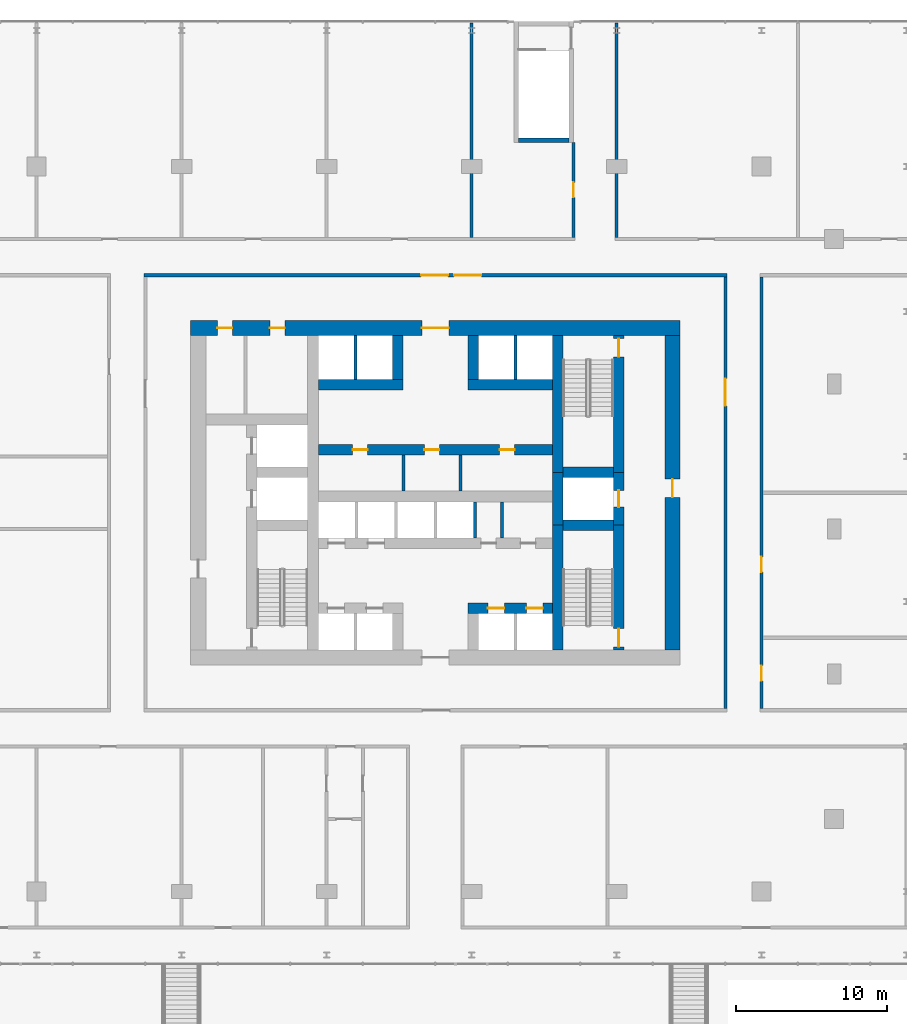
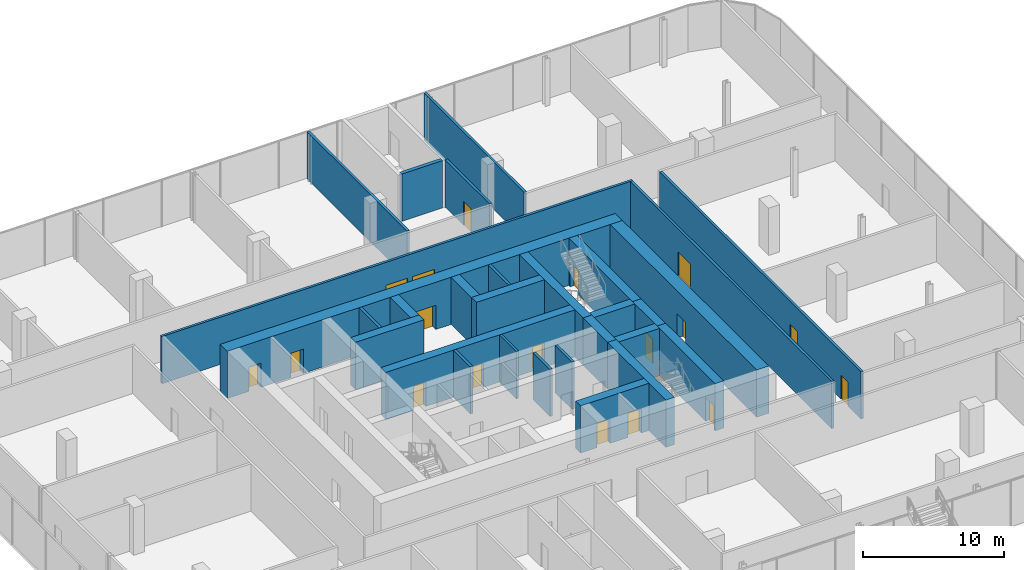
# One storey, part 24 of 32: 29 walls, 18 doors, 18 openings.
"""IFC4 building model written with IfcOpenShell, lengths in metres."""

from ifc_helpers import new_model, si_unit, direction, frame, frame_2d, origin, place, context, subcontext, project, spatial, rectangle, extrude, material, layer, layer_set, type_object, element, fill, save


model = new_model("IFC4")

# Units and contexts
model_context = context("Model", 3, precision=1e-05, world=origin(), true_north=direction((0.0, 1.0)))
body_context = subcontext(model_context, "Body", "Model", "MODEL_VIEW")
ifc_project = project(units=[si_unit("LENGTHUNIT", "METRE"), si_unit("AREAUNIT", "SQUARE_METRE"), si_unit("VOLUMEUNIT", "CUBIC_METRE"), si_unit("PLANEANGLEUNIT", "RADIAN"), si_unit("MASSUNIT", "GRAM", prefix="KILO")], contexts=[model_context])

# Site, building, storey
site_placement = place(None, origin())
site = spatial("IfcSite", under=ifc_project, at=site_placement, CompositionType="ELEMENT")
building_placement = place(site_placement, origin())
building = spatial("IfcBuilding", under=site, at=building_placement, Name="Madar Terraces", CompositionType="ELEMENT")
storey_placement = place(building_placement, frame((0.0, 0.0, 19.5)))
storey = spatial("IfcBuildingStorey", under=building, at=storey_placement, Name="L04", CompositionType="ELEMENT", Elevation=19.5)

# Walls
ifc_material_1 = material(Name="Concrete C80/95", Category="concrete")
ifc_layer_1 = layer(ifc_material_1, 0.699951171875)
ifc_layer_set_1 = layer_set([ifc_layer_1], Name="Concrete C80/95 (CIW1 RC wall 700)")
wall_type_1 = type_object("IfcWallType", Name="CIW1 RC wall 700", PredefinedType="SHEAR", material=ifc_layer_set_1)
wall_1_placement = place(storey_placement, frame((39.300048828125, 16.0, 0.0), z_axis=(0.0, 0.0, 1.0), x_axis=(0.0, 1.0, 0.0)))
element("IfcWall", 1, at=wall_1_placement, inside=storey, type_object=wall_type_1, Name="CORE SHAFT WALL", PredefinedType="SHEAR", context=body_context, shape_type="SweptSolid", body=[
    extrude(rectangle(XDim=8.25, YDim=0.699951171875, at=frame_2d((4.125, 0.0))), origin(), (0.0, 0.0, 1.0), 4.10009765625),
])
wall_2_placement = place(storey_placement, frame((39.300048828125, 24.25, 0.0), z_axis=(0.0, 0.0, 1.0), x_axis=(0.0, 1.0, 0.0)))
element("IfcWall", 2, at=wall_2_placement, inside=storey, type_object=wall_type_1, Name="CORE SHAFT WALL", PredefinedType="SHEAR", context=body_context, shape_type="SweptSolid", body=[
    extrude(rectangle(XDim=3.5, YDim=0.699951171875, at=frame_2d((1.75, 0.0))), origin(), (0.0, 0.0, 1.0), 4.10009765625),
])
wall_3_placement = place(storey_placement, frame((39.300048828125, 27.75, 0.0), z_axis=(0.0, 0.0, 1.0), x_axis=(0.0, 1.0, 0.0)))
element("IfcWall", 3, at=wall_3_placement, inside=storey, type_object=wall_type_1, Name="CORE SHAFT WALL", PredefinedType="SHEAR", context=body_context, shape_type="SweptSolid", body=[
    extrude(rectangle(XDim=9.050048828125, YDim=0.699951171875, at=frame_2d((4.52490234375, 0.0))), origin(), (0.0, 0.0, 1.0), 4.10009765625),
])

# Wall, opening, door
wall_4_placement = place(storey_placement, frame((43.35009765625, 16.0, 0.0), z_axis=(0.0, 0.0, 1.0), x_axis=(0.0, 1.0, 0.0)))
wall_4 = element("IfcWall", 4, at=wall_4_placement, inside=storey, type_object=wall_type_1, Name="CORE SHAFT WALL", PredefinedType="SHEAR", context=body_context, shape_type="SweptSolid", body=[
    extrude(rectangle(XDim=8.25, YDim=0.699951171875, at=frame_2d((4.125, 0.0))), origin(), (0.0, 0.0, 1.0), 4.10009765625),
])
opening_1_placement = place(wall_4_placement, frame((0.199951171875, 0.0, 0.0)))
opening_1 = element("IfcOpeningElement", 5, at=opening_1_placement, cuts=wall_4, Name="Opening SD1", PredefinedType="OPENING", context=body_context, shape_type="SweptSolid", body=[
    extrude(rectangle(XDim=1.199951171875, YDim=2.10009765625, at=frame_2d((0.60009765625, 1.050048828125))), frame((0.0, 0.35986328125, 0.0), z_axis=(0.0, -1.0, 0.0), x_axis=(1.0, 0.0, 0.0)), (0.0, 0.0, 1.0), 0.719970703125),
])
ifc_material_2 = material(Name="Steel door leaf", Category="steel")
door_type_1 = type_object("IfcDoorType", Name="Stair door 1200 x 2100", OperationType="NOTDEFINED", PredefinedType="DOOR", material=ifc_material_2)
door_1_placement = place(opening_1_placement, origin())
door_1 = element("IfcDoor", 6, at=door_1_placement, inside=storey, type_object=door_type_1, Name="STAIR DOOR", OperationType="SINGLE_SWING_LEFT", OverallHeight=2.10009765625, OverallWidth=1.199951171875, PredefinedType="DOOR", context=body_context, shape_type="SweptSolid", body=[
    extrude(rectangle(XDim=1.199951171875, YDim=2.10009765625, at=frame_2d((0.60009765625, 1.050048828125))), frame((0.0, 0.02490234375, 0.0), z_axis=(0.0, -1.0, 0.0), x_axis=(1.0, 0.0, 0.0)), (0.0, 0.0, 1.0), 0.050048828125),
])
fill(opening_1, door_1)

wall_5_placement = place(storey_placement, frame((43.35009765625, 24.25, 0.0), z_axis=(0.0, 0.0, 1.0), x_axis=(0.0, 1.0, 0.0)))
wall_5 = element("IfcWall", 7, at=wall_5_placement, inside=storey, type_object=wall_type_1, Name="CORE SHAFT WALL", PredefinedType="SHEAR", context=body_context, shape_type="SweptSolid", body=[
    extrude(rectangle(XDim=3.5, YDim=0.699951171875, at=frame_2d((1.75, 0.0))), origin(), (0.0, 0.0, 1.0), 4.10009765625),
])
opening_2_placement = place(wall_5_placement, frame((1.199951171875, 0.0, 0.0)))
opening_2 = element("IfcOpeningElement", 8, at=opening_2_placement, cuts=wall_5, Name="Opening LD", PredefinedType="OPENING", context=body_context, shape_type="SweptSolid", body=[
    extrude(rectangle(XDim=1.10009765625, YDim=2.10009765625, at=frame_2d((0.550048828125, 1.050048828125))), frame((0.0, 0.35986328125, 0.0), z_axis=(0.0, -1.0, 0.0), x_axis=(1.0, 0.0, 0.0)), (0.0, 0.0, 1.0), 0.719970703125),
])
ifc_material_3 = material(Name="Stainless steel panel", Category="steel")
door_type_2 = type_object("IfcDoorType", Name="Lift landing door 1100 x 2100", OperationType="DOUBLE_DOOR_SLIDING", PredefinedType="DOOR", material=ifc_material_3)
door_2_placement = place(opening_2_placement, origin())
door_2 = element("IfcDoor", 9, at=door_2_placement, inside=storey, type_object=door_type_2, Name="LIFT LANDING DOOR", OperationType="DOUBLE_DOOR_SLIDING", OverallHeight=2.10009765625, OverallWidth=1.10009765625, PredefinedType="DOOR", context=body_context, shape_type="SweptSolid", body=[
    extrude(rectangle(XDim=1.10009765625, YDim=2.10009765625, at=frame_2d((0.550048828125, 1.050048828125))), frame((0.0, 0.02490234375, 0.0), z_axis=(0.0, -1.0, 0.0), x_axis=(1.0, 0.0, 0.0)), (0.0, 0.0, 1.0), 0.050048828125),
])
fill(opening_2, door_2)

wall_6_placement = place(storey_placement, frame((43.35009765625, 27.75, 0.0), z_axis=(0.0, 0.0, 1.0), x_axis=(0.0, 1.0, 0.0)))
wall_6 = element("IfcWall", 10, at=wall_6_placement, inside=storey, type_object=wall_type_1, Name="CORE SHAFT WALL", PredefinedType="SHEAR", context=body_context, shape_type="SweptSolid", body=[
    extrude(rectangle(XDim=9.050048828125, YDim=0.699951171875, at=frame_2d((4.52490234375, 0.0))), origin(), (0.0, 0.0, 1.0), 4.10009765625),
])
opening_3_placement = place(wall_6_placement, frame((7.64990234375, 0.0, 0.0)))
opening_3 = element("IfcOpeningElement", 11, at=opening_3_placement, cuts=wall_6, Name="Opening SD1", PredefinedType="OPENING", context=body_context, shape_type="SweptSolid", body=[
    extrude(rectangle(XDim=1.199951171875, YDim=2.10009765625, at=frame_2d((0.60009765625, 1.050048828125))), frame((0.0, 0.35986328125, 0.0), z_axis=(0.0, -1.0, 0.0), x_axis=(1.0, 0.0, 0.0)), (0.0, 0.0, 1.0), 0.719970703125),
])
door_3_placement = place(opening_3_placement, origin())
door_3 = element("IfcDoor", 12, at=door_3_placement, inside=storey, type_object=door_type_1, Name="STAIR DOOR", OperationType="SINGLE_SWING_RIGHT", OverallHeight=2.10009765625, OverallWidth=1.199951171875, PredefinedType="DOOR", context=body_context, shape_type="SweptSolid", body=[
    extrude(rectangle(XDim=1.199951171875, YDim=2.10009765625, at=frame_2d((0.60009765625, 1.050048828125))), frame((0.0, 0.02490234375, 0.0), z_axis=(0.0, -1.0, 0.0), x_axis=(1.0, 0.0, 0.0)), (0.0, 0.0, 1.0), 0.050048828125),
])
fill(opening_3, door_3)

# Walls
for number, where, z_axis, x_axis, name in (
    (13, (39.64990234375, 24.25, 0.0), (0.0, 0.0, 1.0), (1.0, 0.0, 0.0), "CORE SHAFT WALL"),
    (14, (39.64990234375, 27.75, 0.0), (0.0, 0.0, 1.0), (1.0, 0.0, 0.0), "CORE SHAFT WALL"),
):
    element("IfcWall", number, at=place(storey_placement, frame(where, z_axis=z_axis, x_axis=x_axis)), inside=storey, type_object=wall_type_1, Name=name, PredefinedType="SHEAR", context=body_context, shape_type="SweptSolid", body=[
        extrude(rectangle(XDim=3.35009765625, YDim=0.699951171875, at=frame_2d((1.675048828125, 0.0))), origin(), (0.0, 0.0, 1.0), 4.10009765625),
    ])

# Wall, openings, doors
wall_7_placement = place(storey_placement, frame((33.35009765625, 18.75, 0.0), z_axis=(0.0, 0.0, 1.0), x_axis=(1.0, 0.0, 0.0)))
wall_7 = element("IfcWall", 15, at=wall_7_placement, inside=storey, type_object=wall_type_1, Name="CORE SHAFT WALL", PredefinedType="SHEAR", context=body_context, shape_type="SweptSolid", body=[
    extrude(rectangle(XDim=5.599853515625, YDim=0.699951171875, at=frame_2d((2.7998046875, 0.0))), origin(), (0.0, 0.0, 1.0), 4.10009765625),
])
opening_4_placement = place(wall_7_placement, frame((1.324951171875, 0.0, 0.0)))
opening_4 = element("IfcOpeningElement", 16, at=opening_4_placement, cuts=wall_7, Name="Opening LD", PredefinedType="OPENING", context=body_context, shape_type="SweptSolid", body=[
    extrude(rectangle(XDim=1.10009765625, YDim=2.10009765625, at=frame_2d((0.550048828125, 1.050048828125))), frame((0.0, 0.35986328125, 0.0), z_axis=(0.0, -1.0, 0.0), x_axis=(1.0, 0.0, 0.0)), (0.0, 0.0, 1.0), 0.719970703125),
])
opening_5_placement = place(wall_7_placement, frame((3.875, 0.0, 0.0)))
opening_5 = element("IfcOpeningElement", 17, at=opening_5_placement, cuts=wall_7, Name="Opening LD", PredefinedType="OPENING", context=body_context, shape_type="SweptSolid", body=[
    extrude(rectangle(XDim=1.10009765625, YDim=2.10009765625, at=frame_2d((0.550048828125, 1.050048828125))), frame((0.0, 0.35986328125, 0.0), z_axis=(0.0, -1.0, 0.0), x_axis=(1.0, 0.0, 0.0)), (0.0, 0.0, 1.0), 0.719970703125),
])
door_4_placement = place(opening_4_placement, origin())
door_4 = element("IfcDoor", 18, at=door_4_placement, inside=storey, type_object=door_type_2, Name="LIFT LANDING DOOR", OperationType="DOUBLE_DOOR_SLIDING", OverallHeight=2.10009765625, OverallWidth=1.10009765625, PredefinedType="DOOR", context=body_context, shape_type="SweptSolid", body=[
    extrude(rectangle(XDim=1.10009765625, YDim=2.10009765625, at=frame_2d((0.550048828125, 1.050048828125))), frame((0.0, 0.02490234375, 0.0), z_axis=(0.0, -1.0, 0.0), x_axis=(1.0, 0.0, 0.0)), (0.0, 0.0, 1.0), 0.050048828125),
])
fill(opening_4, door_4)
door_5_placement = place(opening_5_placement, origin())
door_5 = element("IfcDoor", 19, at=door_5_placement, inside=storey, type_object=door_type_2, Name="LIFT LANDING DOOR", OperationType="DOUBLE_DOOR_SLIDING", OverallHeight=2.10009765625, OverallWidth=1.10009765625, PredefinedType="DOOR", context=body_context, shape_type="SweptSolid", body=[
    extrude(rectangle(XDim=1.10009765625, YDim=2.10009765625, at=frame_2d((0.550048828125, 1.050048828125))), frame((0.0, 0.02490234375, 0.0), z_axis=(0.0, -1.0, 0.0), x_axis=(1.0, 0.0, 0.0)), (0.0, 0.0, 1.0), 0.050048828125),
])
fill(opening_5, door_5)

wall_8_placement = place(storey_placement, frame((23.449951171875, 29.25, 0.0), z_axis=(0.0, 0.0, 1.0), x_axis=(1.0, 0.0, 0.0)))
wall_8 = element("IfcWall", 20, at=wall_8_placement, inside=storey, type_object=wall_type_1, Name="CORE SHAFT WALL", PredefinedType="SHEAR", context=body_context, shape_type="SweptSolid", body=[
    extrude(rectangle(XDim=15.5, YDim=0.699951171875, at=frame_2d((7.75, 0.0))), origin(), (0.0, 0.0, 1.0), 4.10009765625),
])
opening_6_placement = place(wall_8_placement, frame((2.265869140625, 0.0, 0.0)))
opening_6 = element("IfcOpeningElement", 21, at=opening_6_placement, cuts=wall_8, Name="Opening KD2", PredefinedType="OPENING", context=body_context, shape_type="SweptSolid", body=[
    extrude(rectangle(XDim=1.0, YDim=2.10009765625, at=frame_2d((0.5, 1.050048828125))), frame((0.0, 0.35986328125, 0.0), z_axis=(0.0, -1.0, 0.0), x_axis=(1.0, 0.0, 0.0)), (0.0, 0.0, 1.0), 0.719970703125),
])
opening_7_placement = place(wall_8_placement, frame((7.017578125, 0.0, 0.0)))
opening_7 = element("IfcOpeningElement", 22, at=opening_7_placement, cuts=wall_8, Name="Opening KD2", PredefinedType="OPENING", context=body_context, shape_type="SweptSolid", body=[
    extrude(rectangle(XDim=1.0, YDim=2.10009765625, at=frame_2d((0.5, 1.050048828125))), frame((0.0, 0.35986328125, 0.0), z_axis=(0.0, -1.0, 0.0), x_axis=(1.0, 0.0, 0.0)), (0.0, 0.0, 1.0), 0.719970703125),
])
opening_8_placement = place(wall_8_placement, frame((12.001708984375, 0.0, 0.0)))
opening_8 = element("IfcOpeningElement", 23, at=opening_8_placement, cuts=wall_8, Name="Opening KD2", PredefinedType="OPENING", context=body_context, shape_type="SweptSolid", body=[
    extrude(rectangle(XDim=1.0, YDim=2.10009765625, at=frame_2d((0.5, 1.050048828125))), frame((0.0, 0.35986328125, 0.0), z_axis=(0.0, -1.0, 0.0), x_axis=(1.0, 0.0, 0.0)), (0.0, 0.0, 1.0), 0.719970703125),
])
ifc_material_4 = material(Name="Steel door leaf", Category="steel")
door_type_3 = type_object("IfcDoorType", Name="Service room door 1000 x 2100", OperationType="NOTDEFINED", PredefinedType="DOOR", material=ifc_material_4)
door_6_placement = place(opening_6_placement, origin())
door_6 = element("IfcDoor", 24, at=door_6_placement, inside=storey, type_object=door_type_3, Name="SERVICE ROOM DOOR", OperationType="SINGLE_SWING_LEFT", OverallHeight=2.10009765625, OverallWidth=1.0, PredefinedType="DOOR", context=body_context, shape_type="SweptSolid", body=[
    extrude(rectangle(XDim=1.0, YDim=2.10009765625, at=frame_2d((0.5, 1.050048828125))), frame((0.0, 0.02490234375, 0.0), z_axis=(0.0, -1.0, 0.0), x_axis=(1.0, 0.0, 0.0)), (0.0, 0.0, 1.0), 0.050048828125),
])
fill(opening_6, door_6)
door_7_placement = place(opening_7_placement, origin())
door_7 = element("IfcDoor", 25, at=door_7_placement, inside=storey, type_object=door_type_3, Name="SERVICE ROOM DOOR", OperationType="SINGLE_SWING_RIGHT", OverallHeight=2.10009765625, OverallWidth=1.0, PredefinedType="DOOR", context=body_context, shape_type="SweptSolid", body=[
    extrude(rectangle(XDim=1.0, YDim=2.10009765625, at=frame_2d((0.5, 1.050048828125))), frame((0.0, 0.02490234375, 0.0), z_axis=(0.0, -1.0, 0.0), x_axis=(1.0, 0.0, 0.0)), (0.0, 0.0, 1.0), 0.050048828125),
])
fill(opening_7, door_7)
door_8_placement = place(opening_8_placement, origin())
door_8 = element("IfcDoor", 26, at=door_8_placement, inside=storey, type_object=door_type_3, Name="SERVICE ROOM DOOR", OperationType="SINGLE_SWING_LEFT", OverallHeight=2.10009765625, OverallWidth=1.0, PredefinedType="DOOR", context=body_context, shape_type="SweptSolid", body=[
    extrude(rectangle(XDim=1.0, YDim=2.10009765625, at=frame_2d((0.5, 1.050048828125))), frame((0.0, 0.02490234375, 0.0), z_axis=(0.0, -1.0, 0.0), x_axis=(1.0, 0.0, 0.0)), (0.0, 0.0, 1.0), 0.050048828125),
])
fill(opening_8, door_8)

# Walls
wall_9_placement = place(storey_placement, frame((23.449951171875, 33.550048828125, 0.0), z_axis=(0.0, 0.0, 1.0), x_axis=(1.0, 0.0, 0.0)))
element("IfcWall", 27, at=wall_9_placement, inside=storey, type_object=wall_type_1, Name="CORE SHAFT WALL", PredefinedType="SHEAR", context=body_context, shape_type="SweptSolid", body=[
    extrude(rectangle(XDim=5.60009765625, YDim=0.699951171875, at=frame_2d((2.800048828125, 0.0))), origin(), (0.0, 0.0, 1.0), 4.10009765625),
])
wall_10_placement = place(storey_placement, frame((33.35009765625, 33.550048828125, 0.0), z_axis=(0.0, 0.0, 1.0), x_axis=(1.0, 0.0, 0.0)))
element("IfcWall", 28, at=wall_10_placement, inside=storey, type_object=wall_type_1, Name="CORE SHAFT WALL", PredefinedType="SHEAR", context=body_context, shape_type="SweptSolid", body=[
    extrude(rectangle(XDim=5.599853515625, YDim=0.699951171875, at=frame_2d((2.7998046875, 0.0))), origin(), (0.0, 0.0, 1.0), 4.10009765625),
])
for number, where, z_axis, x_axis, name in (
    (29, (28.699951171875, 33.89990234375, 0.0), (0.0, 0.0, 1.0), (0.0, 1.0, 0.0), "CORE SHAFT WALL"),
    (30, (33.699951171875, 33.89990234375, 0.0), (0.0, 0.0, 1.0), (0.0, 1.0, 0.0), "CORE SHAFT WALL"),
):
    element("IfcWall", number, at=place(storey_placement, frame(where, z_axis=z_axis, x_axis=x_axis)), inside=storey, type_object=wall_type_1, Name=name, PredefinedType="SHEAR", context=body_context, shape_type="SweptSolid", body=[
        extrude(rectangle(XDim=2.900146484375, YDim=0.699951171875, at=frame_2d((1.4501953125, 0.0))), origin(), (0.0, 0.0, 1.0), 4.10009765625),
    ])

# Wall, openings, doors
ifc_material_5 = material(Name="Concrete C80/95", Category="concrete")
ifc_layer_2 = layer(ifc_material_5, 1.0)
ifc_layer_set_2 = layer_set([ifc_layer_2], Name="Concrete C80/95 (CRW1 RC wall 1000)")
wall_type_2 = type_object("IfcWallType", Name="CRW1 RC wall 1000", PredefinedType="SHEAR", material=ifc_layer_set_2)
wall_11_placement = place(storey_placement, frame((15.0, 37.300048828125, 0.0), z_axis=(0.0, 0.0, 1.0), x_axis=(1.0, 0.0, 0.0)))
wall_11 = element("IfcWall", 31, at=wall_11_placement, inside=storey, type_object=wall_type_2, Name="CORE OUTER WALL", PredefinedType="SHEAR", context=body_context, shape_type="SweptSolid", body=[
    extrude(rectangle(XDim=32.39990234375, YDim=1.0, at=frame_2d((16.199951171875, 0.0))), origin(), (0.0, 0.0, 1.0), 4.10009765625),
])
opening_9_placement = place(wall_11_placement, frame((15.300048828125, 0.0, 0.0)))
opening_9 = element("IfcOpeningElement", 32, at=opening_9_placement, cuts=wall_11, Name="Opening KD1", PredefinedType="OPENING", context=body_context, shape_type="SweptSolid", body=[
    extrude(rectangle(XDim=1.800048828125, YDim=2.10009765625, at=frame_2d((0.89990234375, 1.050048828125))), frame((0.0, 0.510009765625, 0.0), z_axis=(0.0, -1.0, 0.0), x_axis=(1.0, 0.0, 0.0)), (0.0, 0.0, 1.0), 1.02001953125),
])
opening_10_placement = place(wall_11_placement, frame((1.766357421875, 0.0, 0.0)))
opening_10 = element("IfcOpeningElement", 33, at=opening_10_placement, cuts=wall_11, Name="Opening KD2", PredefinedType="OPENING", context=body_context, shape_type="SweptSolid", body=[
    extrude(rectangle(XDim=1.0, YDim=2.10009765625, at=frame_2d((0.5, 1.050048828125))), frame((0.0, 0.510009765625, 0.0), z_axis=(0.0, -1.0, 0.0), x_axis=(1.0, 0.0, 0.0)), (0.0, 0.0, 1.0), 1.02001953125),
])
opening_11_placement = place(wall_11_placement, frame((5.2412109375, 0.0, 0.0)))
opening_11 = element("IfcOpeningElement", 34, at=opening_11_placement, cuts=wall_11, Name="Opening KD2", PredefinedType="OPENING", context=body_context, shape_type="SweptSolid", body=[
    extrude(rectangle(XDim=1.0, YDim=2.10009765625, at=frame_2d((0.5, 1.050048828125))), frame((0.0, 0.510009765625, 0.0), z_axis=(0.0, -1.0, 0.0), x_axis=(1.0, 0.0, 0.0)), (0.0, 0.0, 1.0), 1.02001953125),
])
ifc_material_6 = material(Name="Steel door leaf", Category="steel")
door_type_4 = type_object("IfcDoorType", Name="Lobby door pair 1800 x 2100", OperationType="DOUBLE_DOOR_SINGLE_SWING", PredefinedType="DOOR", material=ifc_material_6)
door_9_placement = place(opening_9_placement, origin())
door_9 = element("IfcDoor", 35, at=door_9_placement, inside=storey, type_object=door_type_4, Name="LIFT LOBBY DOOR", OperationType="DOUBLE_DOOR_SINGLE_SWING", OverallHeight=2.10009765625, OverallWidth=1.800048828125, PredefinedType="DOOR", context=body_context, shape_type="SweptSolid", body=[
    extrude(rectangle(XDim=1.800048828125, YDim=2.10009765625, at=frame_2d((0.89990234375, 1.050048828125))), frame((0.0, 0.02490234375, 0.0), z_axis=(0.0, -1.0, 0.0), x_axis=(1.0, 0.0, 0.0)), (0.0, 0.0, 1.0), 0.050048828125),
])
fill(opening_9, door_9)
door_10_placement = place(opening_10_placement, origin())
door_10 = element("IfcDoor", 36, at=door_10_placement, inside=storey, type_object=door_type_3, Name="SERVICE ROOM DOOR", OperationType="SINGLE_SWING_LEFT", OverallHeight=2.10009765625, OverallWidth=1.0, PredefinedType="DOOR", context=body_context, shape_type="SweptSolid", body=[
    extrude(rectangle(XDim=1.0, YDim=2.10009765625, at=frame_2d((0.5, 1.050048828125))), frame((0.0, 0.02490234375, 0.0), z_axis=(0.0, -1.0, 0.0), x_axis=(1.0, 0.0, 0.0)), (0.0, 0.0, 1.0), 0.050048828125),
])
fill(opening_10, door_10)
door_11_placement = place(opening_11_placement, origin())
door_11 = element("IfcDoor", 37, at=door_11_placement, inside=storey, type_object=door_type_3, Name="SERVICE ROOM DOOR", OperationType="SINGLE_SWING_RIGHT", OverallHeight=2.10009765625, OverallWidth=1.0, PredefinedType="DOOR", context=body_context, shape_type="SweptSolid", body=[
    extrude(rectangle(XDim=1.0, YDim=2.10009765625, at=frame_2d((0.5, 1.050048828125))), frame((0.0, 0.02490234375, 0.0), z_axis=(0.0, -1.0, 0.0), x_axis=(1.0, 0.0, 0.0)), (0.0, 0.0, 1.0), 0.050048828125),
])
fill(opening_11, door_11)

# Wall, opening, door
wall_12_placement = place(storey_placement, frame((46.89990234375, 16.0, 0.0), z_axis=(0.0, 0.0, 1.0), x_axis=(0.0, 1.0, 0.0)))
wall_12 = element("IfcWall", 38, at=wall_12_placement, inside=storey, type_object=wall_type_2, Name="CORE OUTER WALL", PredefinedType="SHEAR", context=body_context, shape_type="SweptSolid", body=[
    extrude(rectangle(XDim=20.800048828125, YDim=1.0, at=frame_2d((10.39990234375, 0.0))), origin(), (0.0, 0.0, 1.0), 4.10009765625),
])
opening_12_placement = place(wall_12_placement, frame((10.10009765625, 0.0, 0.0)))
opening_12 = element("IfcOpeningElement", 39, at=opening_12_placement, cuts=wall_12, Name="Opening SD1", PredefinedType="OPENING", context=body_context, shape_type="SweptSolid", body=[
    extrude(rectangle(XDim=1.199951171875, YDim=2.10009765625, at=frame_2d((0.60009765625, 1.050048828125))), frame((0.0, 0.510009765625, 0.0), z_axis=(0.0, -1.0, 0.0), x_axis=(1.0, 0.0, 0.0)), (0.0, 0.0, 1.0), 1.02001953125),
])
door_12_placement = place(opening_12_placement, origin())
door_12 = element("IfcDoor", 40, at=door_12_placement, inside=storey, type_object=door_type_1, Name="STAIR DOOR", OperationType="SINGLE_SWING_RIGHT", OverallHeight=2.10009765625, OverallWidth=1.199951171875, PredefinedType="DOOR", context=body_context, shape_type="SweptSolid", body=[
    extrude(rectangle(XDim=1.199951171875, YDim=2.10009765625, at=frame_2d((0.60009765625, 1.050048828125))), frame((0.0, 0.02490234375, 0.0), z_axis=(0.0, -1.0, 0.0), x_axis=(1.0, 0.0, 0.0)), (0.0, 0.0, 1.0), 0.050048828125),
])
fill(opening_12, door_12)

# Walls
ifc_material_7 = material(Name="Masonry blockwork", Category="masonry")
ifc_layer_3 = layer(ifc_material_7, 0.199951171875)
ifc_layer_set_3 = layer_set([ifc_layer_3], Name="Core partition 200 blockwork")
wall_type_3 = type_object("IfcWallType", Name="Core partition 200 blockwork", PredefinedType="PARTITIONING", material=ifc_layer_set_3)
wall_13_placement = place(storey_placement, frame((35.6279296875, 23.39990234375, 0.0), z_axis=(0.0, 0.0, 1.0), x_axis=(0.0, 1.0, 0.0)))
element("IfcWall", 41, at=wall_13_placement, inside=storey, type_object=wall_type_3, Name="SERVICE ROOM PARTITION", PredefinedType="PARTITIONING", context=body_context, shape_type="SweptSolid", body=[
    extrude(rectangle(XDim=2.400146484375, YDim=0.199951171875, at=frame_2d((1.2001953125, 0.0))), origin(), (0.0, 0.0, 1.0), 4.10009765625),
])
for number, where, z_axis, x_axis, name in (
    (42, (29.081787109375, 26.5, 0.0), (0.0, 0.0, 1.0), (0.0, 1.0, 0.0), "SERVICE ROOM PARTITION"),
    (43, (32.853271484375, 26.5, 0.0), (0.0, 0.0, 1.0), (0.0, 1.0, 0.0), "SERVICE ROOM PARTITION"),
):
    element("IfcWall", number, at=place(storey_placement, frame(where, z_axis=z_axis, x_axis=x_axis)), inside=storey, type_object=wall_type_3, Name=name, PredefinedType="PARTITIONING", context=body_context, shape_type="SweptSolid", body=[
        extrude(rectangle(XDim=2.39990234375, YDim=0.199951171875, at=frame_2d((1.199951171875, 0.0))), origin(), (0.0, 0.0, 1.0), 4.10009765625),
    ])
ifc_material_8 = material(Name="Concrete C40/50", Category="concrete")
ifc_layer_4 = layer(ifc_material_8, 0.199951171875)
ifc_layer_set_4 = layer_set([ifc_layer_4], Name="Core shaft dividing wall 200 C40/50")
wall_type_4 = type_object("IfcWallType", Name="Core shaft dividing wall 200 C40/50", PredefinedType="SOLIDWALL", material=ifc_layer_set_4)
wall_14_placement = place(storey_placement, frame((33.816650390625, 23.39990234375, 0.0), z_axis=(0.0, 0.0, 1.0), x_axis=(0.0, 1.0, 0.0)))
element("IfcWall", 44, at=wall_14_placement, inside=storey, type_object=wall_type_4, Name="SHAFT DIVIDING WALL", PredefinedType="SOLIDWALL", context=body_context, shape_type="SweptSolid", body=[
    extrude(rectangle(XDim=2.400146484375, YDim=0.199951171875, at=frame_2d((1.2001953125, 0.0))), origin(), (0.0, 0.0, 1.0), 4.10009765625),
])
for number, where, z_axis, x_axis, name in (
    (45, (25.89990234375, 33.89990234375, 0.0), (0.0, 0.0, 1.0), (0.0, 1.0, 0.0), "SHAFT DIVIDING WALL"),
    (46, (36.5, 33.89990234375, 0.0), (0.0, 0.0, 1.0), (0.0, 1.0, 0.0), "SHAFT DIVIDING WALL"),
):
    element("IfcWall", number, at=place(storey_placement, frame(where, z_axis=z_axis, x_axis=x_axis)), inside=storey, type_object=wall_type_4, Name=name, PredefinedType="SOLIDWALL", context=body_context, shape_type="SweptSolid", body=[
        extrude(rectangle(XDim=2.900146484375, YDim=0.199951171875, at=frame_2d((1.4501953125, 0.0))), origin(), (0.0, 0.0, 1.0), 4.10009765625),
    ])

# Wall, openings, doors
ifc_material_9 = material(Name="Gypsum board partition, fire-rated")
ifc_layer_5 = layer(ifc_material_9, 0.199951171875)
ifc_layer_set_5 = layer_set([ifc_layer_5], Name="Partition 200 EI 60")
wall_type_5 = type_object("IfcWallType", Name="Partition 200 EI 60", PredefinedType="PARTITIONING", material=ifc_layer_set_5)
wall_15_placement = place(storey_placement, frame((50.5, 40.800048828125, 0.0), z_axis=(0.0, 0.0, 1.0), x_axis=(-1.0, 0.0, 0.0)))
wall_15 = element("IfcWall", 47, at=wall_15_placement, inside=storey, type_object=wall_type_5, Name="Wall PODIUM CORRIDOR / RING CORRIDOR", PredefinedType="PARTITIONING", context=body_context, shape_type="SweptSolid", body=[
    extrude(rectangle(XDim=38.60009765625, YDim=0.199951171875, at=frame_2d((19.300048828125, 0.0))), origin(), (0.0, 0.0, 1.0), 4.10009765625),
])
opening_13_placement = place(wall_15_placement, frame((18.449951171875, 0.0, 0.0)))
opening_13 = element("IfcOpeningElement", 48, at=opening_13_placement, cuts=wall_15, Name="Opening D30", PredefinedType="OPENING", context=body_context, shape_type="SweptSolid", body=[
    extrude(rectangle(XDim=1.800048828125, YDim=2.10009765625, at=frame_2d((0.89990234375, 1.050048828125))), frame((0.0, 0.10986328125, 0.0), z_axis=(0.0, -1.0, 0.0), x_axis=(1.0, 0.0, 0.0)), (0.0, 0.0, 1.0), 0.219970703125),
])
opening_14_placement = place(wall_15_placement, frame((16.25, 0.0, 0.0)))
opening_14 = element("IfcOpeningElement", 49, at=opening_14_placement, cuts=wall_15, Name="Opening D30", PredefinedType="OPENING", context=body_context, shape_type="SweptSolid", body=[
    extrude(rectangle(XDim=1.800048828125, YDim=2.10009765625, at=frame_2d((0.89990234375, 1.050048828125))), frame((0.0, 0.10986328125, 0.0), z_axis=(0.0, -1.0, 0.0), x_axis=(1.0, 0.0, 0.0)), (0.0, 0.0, 1.0), 0.219970703125),
])
ifc_material_10 = material(Name="Timber door leaf, fire-rated", Category="wood")
door_type_5 = type_object("IfcDoorType", Name="Podium double door 1800 x 2100 FD30S", OperationType="DOUBLE_DOOR_SINGLE_SWING", PredefinedType="DOOR", material=ifc_material_10)
door_13_placement = place(opening_13_placement, origin())
door_13 = element("IfcDoor", 50, at=door_13_placement, inside=storey, type_object=door_type_5, Name="Door PODIUM CORRIDOR / RING CORRIDOR", OperationType="DOUBLE_DOOR_SINGLE_SWING", OverallHeight=2.10009765625, OverallWidth=1.800048828125, PredefinedType="DOOR", context=body_context, shape_type="SweptSolid", body=[
    extrude(rectangle(XDim=1.800048828125, YDim=2.10009765625, at=frame_2d((0.89990234375, 1.050048828125))), frame((0.0, 0.02490234375, 0.0), z_axis=(0.0, -1.0, 0.0), x_axis=(1.0, 0.0, 0.0)), (0.0, 0.0, 1.0), 0.050048828125),
])
fill(opening_13, door_13)
door_14_placement = place(opening_14_placement, origin())
door_14 = element("IfcDoor", 51, at=door_14_placement, inside=storey, type_object=door_type_5, Name="Door PODIUM CORRIDOR / RING CORRIDOR", OperationType="DOUBLE_DOOR_SINGLE_SWING", OverallHeight=2.10009765625, OverallWidth=1.800048828125, PredefinedType="DOOR", context=body_context, shape_type="SweptSolid", body=[
    extrude(rectangle(XDim=1.800048828125, YDim=2.10009765625, at=frame_2d((0.89990234375, 1.050048828125))), frame((0.0, 0.02490234375, 0.0), z_axis=(0.0, -1.0, 0.0), x_axis=(1.0, 0.0, 0.0)), (0.0, 0.0, 1.0), 0.050048828125),
])
fill(opening_14, door_14)

# Wall
wall_16_placement = place(storey_placement, frame((33.60009765625, 43.300048828125, 0.0), z_axis=(0.0, 0.0, 1.0), x_axis=(0.0, 1.0, 0.0)))
element("IfcWall", 52, at=wall_16_placement, inside=storey, type_object=wall_type_5, Name="Wall ACTIVITY ROOM / OFFICE", PredefinedType="PARTITIONING", context=body_context, shape_type="SweptSolid", body=[
    extrude(rectangle(XDim=14.199951171875, YDim=0.199951171875, at=frame_2d((7.10009765625, 0.0))), origin(), (0.0, 0.0, 1.0), 4.10009765625),
])

# Wall, opening, door
wall_17_placement = place(storey_placement, frame((40.35009765625, 43.300048828125, 0.0), z_axis=(0.0, 0.0, 1.0), x_axis=(0.0, 1.0, 0.0)))
wall_17 = element("IfcWall", 53, at=wall_17_placement, inside=storey, type_object=wall_type_5, Name="Wall OFFICE / PODIUM CORRIDOR", PredefinedType="PARTITIONING", context=body_context, shape_type="SweptSolid", body=[
    extrude(rectangle(XDim=6.300048828125, YDim=0.199951171875, at=frame_2d((3.14990234375, 0.0))), origin(), (0.0, 0.0, 1.0), 4.10009765625),
])
opening_15_placement = place(wall_17_placement, frame((2.64990234375, 0.0, 0.0)))
opening_15 = element("IfcOpeningElement", 54, at=opening_15_placement, cuts=wall_17, Name="Opening D31", PredefinedType="OPENING", context=body_context, shape_type="SweptSolid", body=[
    extrude(rectangle(XDim=1.0, YDim=2.10009765625, at=frame_2d((0.5, 1.050048828125))), frame((0.0, 0.10986328125, 0.0), z_axis=(0.0, -1.0, 0.0), x_axis=(1.0, 0.0, 0.0)), (0.0, 0.0, 1.0), 0.219970703125),
])
ifc_material_11 = material(Name="Timber door leaf, fire-rated", Category="wood")
door_type_6 = type_object("IfcDoorType", Name="Podium door 1000 x 2100 FD30S", OperationType="NOTDEFINED", PredefinedType="DOOR", material=ifc_material_11)
door_15_placement = place(opening_15_placement, origin())
door_15 = element("IfcDoor", 55, at=door_15_placement, inside=storey, type_object=door_type_6, Name="Door OFFICE / PODIUM CORRIDOR", OperationType="SINGLE_SWING_RIGHT", OverallHeight=2.10009765625, OverallWidth=1.0, PredefinedType="DOOR", context=body_context, shape_type="SweptSolid", body=[
    extrude(rectangle(XDim=1.0, YDim=2.10009765625, at=frame_2d((0.5, 1.050048828125))), frame((0.0, 0.02490234375, 0.0), z_axis=(0.0, -1.0, 0.0), x_axis=(1.0, 0.0, 0.0)), (0.0, 0.0, 1.0), 0.050048828125),
])
fill(opening_15, door_15)

# Wall
wall_18_placement = place(storey_placement, frame((43.199951171875, 43.300048828125, 0.0), z_axis=(0.0, 0.0, 1.0), x_axis=(0.0, 1.0, 0.0)))
element("IfcWall", 56, at=wall_18_placement, inside=storey, type_object=wall_type_5, Name="Wall STORE / PODIUM CORRIDOR", PredefinedType="PARTITIONING", context=body_context, shape_type="SweptSolid", body=[
    extrude(rectangle(XDim=14.199951171875, YDim=0.199951171875, at=frame_2d((7.10009765625, 0.0))), origin(), (0.0, 0.0, 1.0), 4.10009765625),
])

# Wall, opening, door
wall_19_placement = place(storey_placement, frame((50.39990234375, 12.10009765625, 0.0), z_axis=(0.0, 0.0, 1.0), x_axis=(0.0, 1.0, 0.0)))
wall_19 = element("IfcWall", 57, at=wall_19_placement, inside=storey, type_object=wall_type_5, Name="Wall PODIUM CORRIDOR / RING CORRIDOR", PredefinedType="PARTITIONING", context=body_context, shape_type="SweptSolid", body=[
    extrude(rectangle(XDim=28.599853515625, YDim=0.199951171875, at=frame_2d((14.2998046875, 0.0))), origin(), (0.0, 0.0, 1.0), 4.10009765625),
])
opening_16_placement = place(wall_19_placement, frame((20.050048828125, 0.0, 0.0)))
opening_16 = element("IfcOpeningElement", 58, at=opening_16_placement, cuts=wall_19, Name="Opening D30", PredefinedType="OPENING", context=body_context, shape_type="SweptSolid", body=[
    extrude(rectangle(XDim=1.800048828125, YDim=2.10009765625, at=frame_2d((0.89990234375, 1.050048828125))), frame((0.0, 0.10986328125, 0.0), z_axis=(0.0, -1.0, 0.0), x_axis=(1.0, 0.0, 0.0)), (0.0, 0.0, 1.0), 0.219970703125),
])
door_16_placement = place(opening_16_placement, origin())
door_16 = element("IfcDoor", 59, at=door_16_placement, inside=storey, type_object=door_type_5, Name="Door PODIUM CORRIDOR / RING CORRIDOR", OperationType="DOUBLE_DOOR_SINGLE_SWING", OverallHeight=2.10009765625, OverallWidth=1.800048828125, PredefinedType="DOOR", context=body_context, shape_type="SweptSolid", body=[
    extrude(rectangle(XDim=1.800048828125, YDim=2.10009765625, at=frame_2d((0.89990234375, 1.050048828125))), frame((0.0, 0.02490234375, 0.0), z_axis=(0.0, -1.0, 0.0), x_axis=(1.0, 0.0, 0.0)), (0.0, 0.0, 1.0), 0.050048828125),
])
fill(opening_16, door_16)

# Wall, openings, doors
wall_20_placement = place(storey_placement, frame((52.800048828125, 40.699951171875, 0.0), z_axis=(0.0, 0.0, 1.0), x_axis=(0.0, -1.0, 0.0)))
wall_20 = element("IfcWall", 60, at=wall_20_placement, inside=storey, type_object=wall_type_5, Name="Wall GAMES ROOM + STORE", PredefinedType="PARTITIONING", context=body_context, shape_type="SweptSolid", body=[
    extrude(rectangle(XDim=28.599853515625, YDim=0.199951171875, at=frame_2d((14.2998046875, 0.0))), origin(), (0.0, 0.0, 1.0), 4.10009765625),
])
opening_17_placement = place(wall_20_placement, frame((25.75, 0.0, 0.0)))
opening_17 = element("IfcOpeningElement", 61, at=opening_17_placement, cuts=wall_20, Name="Opening D31", PredefinedType="OPENING", context=body_context, shape_type="SweptSolid", body=[
    extrude(rectangle(XDim=1.0, YDim=2.10009765625, at=frame_2d((0.5, 1.050048828125))), frame((0.0, 0.10986328125, 0.0), z_axis=(0.0, -1.0, 0.0), x_axis=(1.0, 0.0, 0.0)), (0.0, 0.0, 1.0), 0.219970703125),
])
opening_18_placement = place(wall_20_placement, frame((18.550048828125, 0.0, 0.0)))
opening_18 = element("IfcOpeningElement", 62, at=opening_18_placement, cuts=wall_20, Name="Opening D31", PredefinedType="OPENING", context=body_context, shape_type="SweptSolid", body=[
    extrude(rectangle(XDim=1.0, YDim=2.10009765625, at=frame_2d((0.5, 1.050048828125))), frame((0.0, 0.10986328125, 0.0), z_axis=(0.0, -1.0, 0.0), x_axis=(1.0, 0.0, 0.0)), (0.0, 0.0, 1.0), 0.219970703125),
])
door_17_placement = place(opening_17_placement, origin())
door_17 = element("IfcDoor", 63, at=door_17_placement, inside=storey, type_object=door_type_6, Name="Door GAMES ROOM / PODIUM CORRIDOR", OperationType="SINGLE_SWING_LEFT", OverallHeight=2.10009765625, OverallWidth=1.0, PredefinedType="DOOR", context=body_context, shape_type="SweptSolid", body=[
    extrude(rectangle(XDim=1.0, YDim=2.10009765625, at=frame_2d((0.5, 1.050048828125))), frame((0.0, 0.02490234375, 0.0), z_axis=(0.0, -1.0, 0.0), x_axis=(1.0, 0.0, 0.0)), (0.0, 0.0, 1.0), 0.050048828125),
])
fill(opening_17, door_17)
door_18_placement = place(opening_18_placement, origin())
door_18 = element("IfcDoor", 64, at=door_18_placement, inside=storey, type_object=door_type_6, Name="Door GAMES ROOM / PODIUM CORRIDOR", OperationType="SINGLE_SWING_LEFT", OverallHeight=2.10009765625, OverallWidth=1.0, PredefinedType="DOOR", context=body_context, shape_type="SweptSolid", body=[
    extrude(rectangle(XDim=1.0, YDim=2.10009765625, at=frame_2d((0.5, 1.050048828125))), frame((0.0, 0.02490234375, 0.0), z_axis=(0.0, -1.0, 0.0), x_axis=(1.0, 0.0, 0.0)), (0.0, 0.0, 1.0), 0.050048828125),
])
fill(opening_18, door_18)

# Wall
ifc_material_12 = material(Name="Concrete C40/50", Category="concrete")
ifc_layer_6 = layer(ifc_material_12, 0.300048828125)
ifc_layer_set_6 = layer_set([ifc_layer_6], Name="Podium stair wall 300 C40/50")
wall_type_6 = type_object("IfcWallType", Name="Podium stair wall 300 C40/50", PredefinedType="SOLIDWALL", material=ifc_layer_set_6)
wall_21_placement = place(storey_placement, frame((36.699951171875, 49.75, 0.0), z_axis=(0.0, 0.0, 1.0), x_axis=(1.0, 0.0, 0.0)))
element("IfcWall", 65, at=wall_21_placement, inside=storey, type_object=wall_type_6, Name="PODIUM STAIR WALL", PredefinedType="SOLIDWALL", context=body_context, shape_type="SweptSolid", body=[
    extrude(rectangle(XDim=3.35009765625, YDim=0.300048828125, at=frame_2d((1.675048828125, 0.0))), origin(), (0.0, 0.0, 1.0), 4.10009765625),
])

save(model, "model.ifc")
